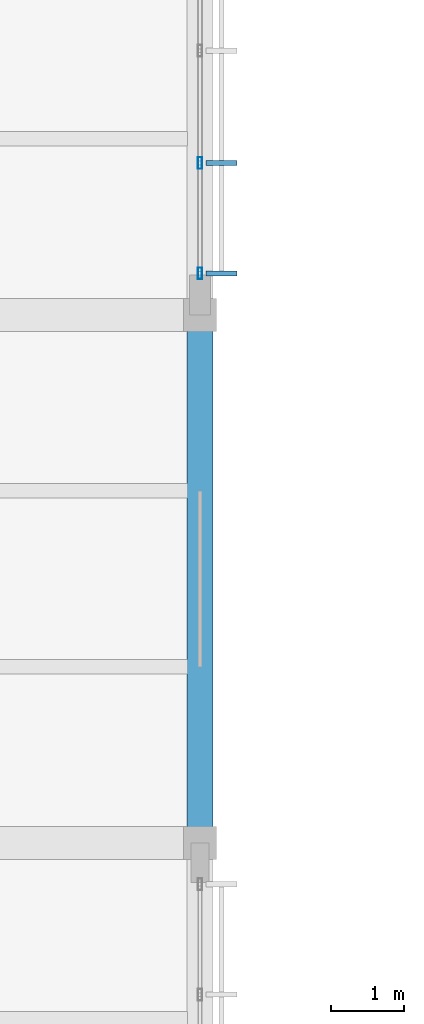
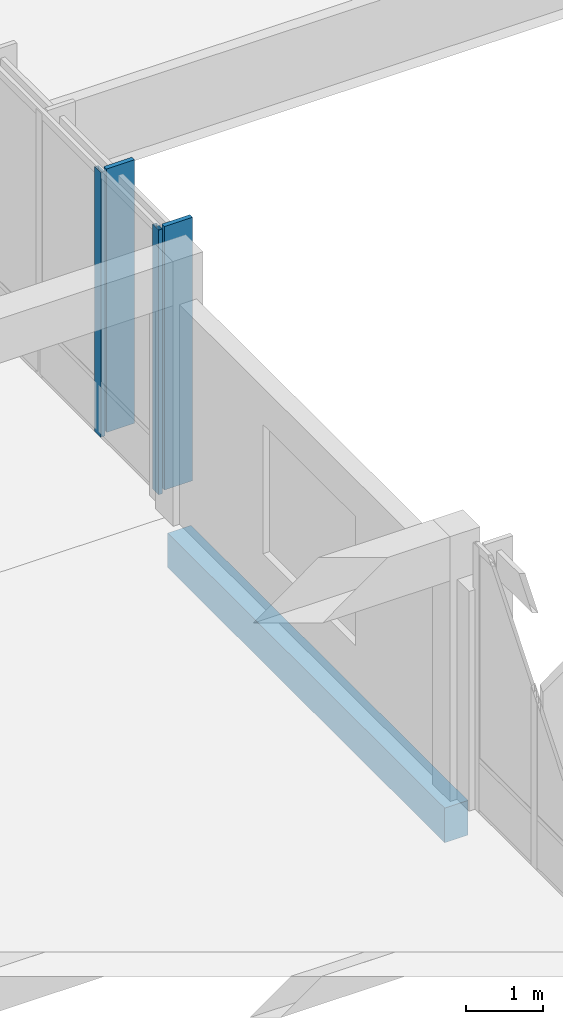
# One storey, part 30 of 107: 4 members, 1 beam, 1 element without a shape of its own.
"""IFC4 building model written with IfcOpenShell, lengths in metres."""

from ifc_helpers import new_model, si_unit, direction, frame, origin, origin_2d, place, context, subcontext, project, spatial, rectangle, hollow_rectangle, extrude, material, material_profile, profile_set, type_object, element, aggregate, save


model = new_model("IFC4")

# Units and contexts
model_context = context("Model", 3, precision=1e-05, world=origin(), true_north=direction((0.0, 1.0)))
body_context = subcontext(model_context, "Body", "Model", "MODEL_VIEW")
ifc_project = project(units=[si_unit("LENGTHUNIT", "METRE"), si_unit("AREAUNIT", "SQUARE_METRE"), si_unit("VOLUMEUNIT", "CUBIC_METRE"), si_unit("PLANEANGLEUNIT", "RADIAN"), si_unit("MASSUNIT", "GRAM", prefix="KILO")], contexts=[model_context])

# Site, building, storey
site_placement = place(None, origin())
site = spatial("IfcSite", under=ifc_project, at=site_placement, CompositionType="ELEMENT")
building_placement = place(site_placement, origin())
building = spatial("IfcBuilding", under=site, at=building_placement, Name="Chiffa Square Polytechnic", CompositionType="ELEMENT")
storey_placement = place(building_placement, frame((0.0, 0.0, 13.800048828125)))
storey = spatial("IfcBuildingStorey", under=building, at=storey_placement, Name="L03", CompositionType="ELEMENT", Elevation=13.800048828125)

# Beam
ifc_material_1 = material(Name="Concrete C35/45", Category="concrete")
ifc_material_profile_1 = material_profile(ifc_material_1, rectangle(XDim=0.35009765625, YDim=0.550048828125, at=origin_2d()), Name="RC 350x550")
ifc_profile_set_1 = profile_set([ifc_material_profile_1], Name="Concrete C35/45")
beam_type = type_object("IfcBeamType", Name="BM-RC-350X550", PredefinedType="BEAM", material=ifc_profile_set_1)
beam_placement = place(storey_placement, frame((32.0, 72.60009765625, -0.53515625), z_axis=(0.0, 1.0, 0.0), x_axis=(-1.0, 0.0, 0.0)))
element("IfcBeam", 1, at=beam_placement, inside=storey, type_object=beam_type, Name="Primary floor girder BM-V6-L03-Y-0320-0726", PredefinedType="BEAM", context=body_context, shape_type="SweptSolid", body=[
    extrude(rectangle(XDim=0.35009765625, YDim=0.550048828125, at=origin_2d()), origin(), (0.0, 0.0, 1.0), 7.199951171875),
])

# Curtain wall, members
ifc_material_2 = material(Name="Aluminium EN AW-6060 T66 and glulam shading", Category="wood")
curtain_wall_type = type_object("IfcCurtainWallType", Name="CW-VERT-450X440", PredefinedType="USERDEFINED", material=ifc_material_2)
curtain_wall_placement = place(storey_placement, origin())
curtain_wall = element("IfcCurtainWall", 2, at=curtain_wall_placement, inside=storey, type_object=curtain_wall_type, Name="Curtain wall CW-V6-L03-272", ObjectType="CURTAIN WALL", PredefinedType="USERDEFINED")
ifc_material_3 = material(Name="Aluminium EN AW-6060 T66", Category="aluminium")
ifc_material_profile_2 = material_profile(ifc_material_3, hollow_rectangle(XDim=0.06005859375, YDim=0.159912109375, WallThickness=0.00390625, at=origin_2d()), Name="ALU 60x160x4")
ifc_profile_set_2 = profile_set([ifc_material_profile_2], Name="Aluminium EN AW-6060 T66")
member_type_1 = type_object("IfcMemberType", Name="CWM-ALU-65X150", PredefinedType="MULLION", material=ifc_profile_set_2)
member_1_placement = place(storey_placement, frame((32.0, 80.364990234375, 0.0), z_axis=(0.0, 0.0, 1.0), x_axis=(1.0, 0.0, 0.0)))
member_1 = element("IfcMember", 3, at=member_1_placement, type_object=member_type_1, Name="Curtain wall mullion CW-V6-L03-272-M00", PredefinedType="MULLION", context=body_context, shape_type="SweptSolid", body=[
    extrude(hollow_rectangle(XDim=0.06005859375, YDim=0.159912109375, WallThickness=0.00390625, at=origin_2d()), origin(), (0.0, 0.0, 1.0), 4.199951171875),
])
member_2_placement = place(storey_placement, frame((32.0, 81.8701171875, 0.0), z_axis=(0.0, 0.0, 1.0), x_axis=(1.0, 0.0, 0.0)))
member_2 = element("IfcMember", 4, at=member_2_placement, type_object=member_type_1, Name="Curtain wall mullion CW-V6-L03-272-M01", PredefinedType="MULLION", context=body_context, shape_type="SweptSolid", body=[
    extrude(hollow_rectangle(XDim=0.06005859375, YDim=0.159912109375, WallThickness=0.00390625, at=origin_2d()), origin(), (0.0, 0.0, 1.0), 4.199951171875),
])
ifc_material_4 = material(Name="Glulam GL28h", Category="wood")
ifc_material_profile_3 = material_profile(ifc_material_4, rectangle(XDim=0.070068359375, YDim=0.419921875, at=origin_2d()), Name="GL28h 70x420")
ifc_profile_set_3 = profile_set([ifc_material_profile_3], Name="Glulam GL28h")
member_type_2 = type_object("IfcMemberType", Name="CWM-GL-70X420", PredefinedType="MULLION", material=ifc_profile_set_3)
member_3_placement = place(storey_placement, frame((32.2919921875, 80.364990234375, 0.010009765625), z_axis=(0.0, 0.0, 1.0), x_axis=(0.0, 1.0, 0.0)))
member_3 = element("IfcMember", 5, at=member_3_placement, type_object=member_type_2, Name="Exterior glulam solar fin CW-V6-L03-272-FN00", PredefinedType="MULLION", context=body_context, shape_type="SweptSolid", body=[
    extrude(rectangle(XDim=0.070068359375, YDim=0.419921875, at=origin_2d()), origin(), (0.0, 0.0, 1.0), 4.179931640625),
])
member_4_placement = place(storey_placement, frame((32.2919921875, 81.8701171875, 0.010009765625), z_axis=(0.0, 0.0, 1.0), x_axis=(0.0, 1.0, 0.0)))
member_4 = element("IfcMember", 6, at=member_4_placement, type_object=member_type_2, Name="Exterior glulam solar fin CW-V6-L03-272-FN01", PredefinedType="MULLION", context=body_context, shape_type="SweptSolid", body=[
    extrude(rectangle(XDim=0.070068359375, YDim=0.419921875, at=origin_2d()), origin(), (0.0, 0.0, 1.0), 4.179931640625),
])
aggregate(curtain_wall, [member_1, member_3, member_2, member_4])

save(model, "model.ifc")
